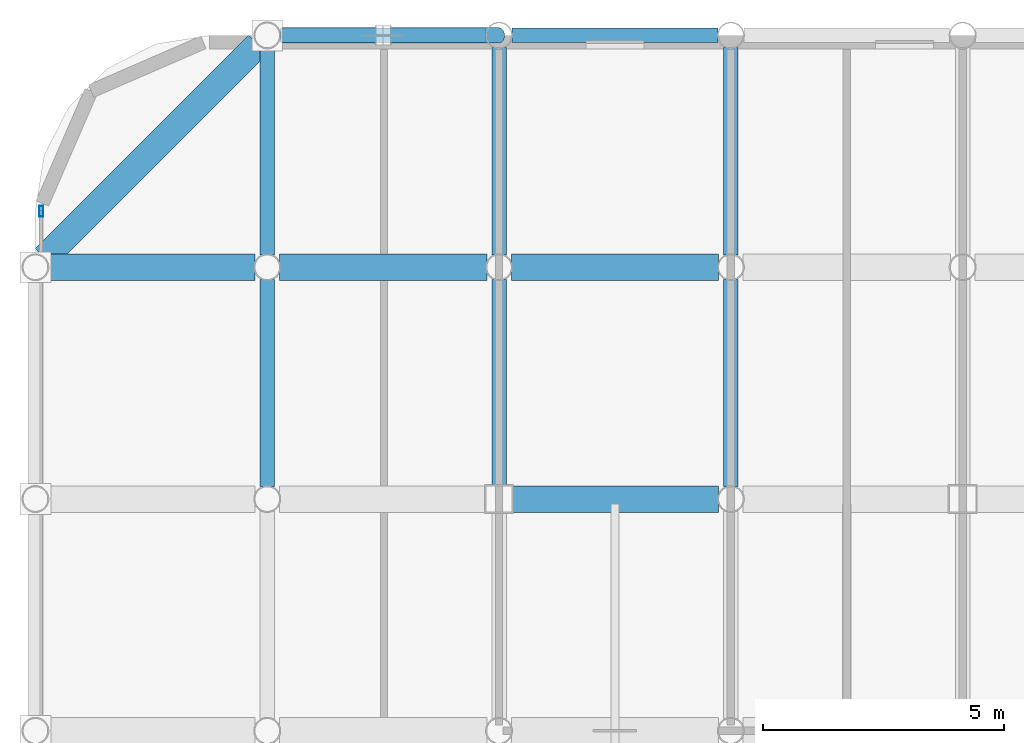
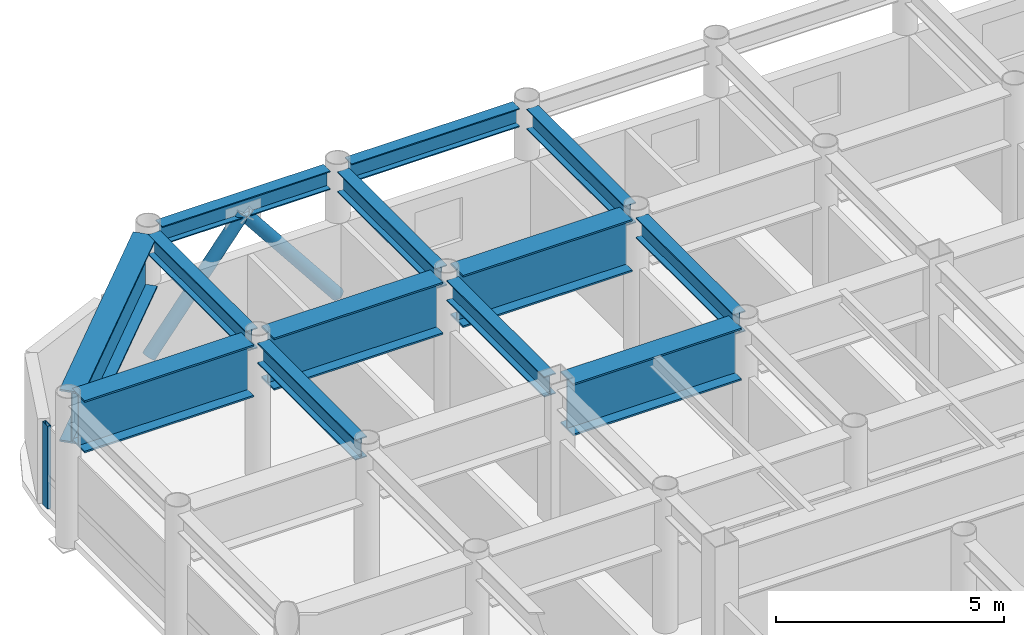
# One storey, part 12 of 25: 13 beams, 3 members, 1 element without a shape of its own.
"""IFC4 building model written with IfcOpenShell, lengths in metres."""

from ifc_helpers import new_model, si_unit, direction, frame, origin, origin_2d, place, context, subcontext, project, spatial, hollow_rectangle, hollow_circle, i_section, extrude, material, layer, layer_set, material_profile, profile_set, type_object, element, aggregate, save


model = new_model("IFC4")

# Units and contexts
model_context = context("Model", 3, precision=1e-05, world=origin(), true_north=direction((0.0, 1.0)))
body_context = subcontext(model_context, "Body", "Model", "MODEL_VIEW")
ifc_project = project(units=[si_unit("LENGTHUNIT", "METRE"), si_unit("AREAUNIT", "SQUARE_METRE"), si_unit("VOLUMEUNIT", "CUBIC_METRE"), si_unit("PLANEANGLEUNIT", "RADIAN"), si_unit("MASSUNIT", "GRAM", prefix="KILO")], contexts=[model_context])

# Site, building, storey
site_placement = place(None, origin())
site = spatial("IfcSite", under=ifc_project, at=site_placement, CompositionType="ELEMENT")
building_placement = place(site_placement, origin())
building = spatial("IfcBuilding", under=site, at=building_placement, Name="Kallvorn Hotel Tower", CompositionType="ELEMENT")
storey_placement = place(building_placement, frame((0.0, 0.0, 249.25)))
storey = spatial("IfcBuildingStorey", under=building, at=storey_placement, Name="L62", CompositionType="ELEMENT", Elevation=249.25)

# Beams
ifc_material_1 = material(Name="Structural steel S355JR", Category="steel")
ifc_material_profile_1 = material_profile(ifc_material_1, i_section(OverallWidth=0.300048828125, OverallDepth=0.5, WebThickness=0.014404296875, FlangeThickness=0.028076171875, at=origin_2d()), Name="HE 500 B")
ifc_profile_set_1 = profile_set([ifc_material_profile_1], Name="Structural steel S355JR")
beam_type_1 = type_object("IfcBeamType", Name="BM_HE500B", PredefinedType="SPANDREL", material=ifc_profile_set_1)
for number, where, z_axis, x_axis, name in (
    (1, (-28.530517578125, 24.0, 3.419921875), (1.0, 0.0, 0.0), (0.0, 1.0, 0.0), "L63 Perimeter Spandrel 163"),
    (2, (-23.73046875, 24.0, 3.419921875), (1.0, 0.0, 0.0), (0.0, 1.0, 0.0), "L63 Perimeter Spandrel 164"),
):
    element("IfcBeam", number, at=place(storey_placement, frame(where, z_axis=z_axis, x_axis=x_axis)), inside=storey, type_object=beam_type_1, Name=name, PredefinedType="SPANDREL", context=body_context, shape_type="SweptSolid", body=[
        extrude(i_section(OverallWidth=0.300048828125, OverallDepth=0.5, WebThickness=0.014404296875, FlangeThickness=0.028076171875, at=origin_2d()), origin(), (0.0, 0.0, 1.0), 4.260986328125),
    ])
ifc_material_2 = material(Name="Structural steel S355JR", Category="steel")
ifc_material_profile_2 = material_profile(ifc_material_2, i_section(OverallWidth=0.300048828125, OverallDepth=0.550048828125, WebThickness=0.014892578125, FlangeThickness=0.029052734375, at=origin_2d()), Name="HE 550 B")
ifc_profile_set_2 = profile_set([ifc_material_profile_2], Name="Structural steel S355JR")
beam_type_2 = type_object("IfcBeamType", Name="BM_HE550B", PredefinedType="SPANDREL", material=ifc_profile_set_2)
for number, where, z_axis, x_axis, name in (
    (3, (-28.800048828125, 14.654541015625, 3.39501953125), (0.0, 1.0, 0.0), (-1.0, 0.0, 0.0), "L63 Primary Y-Girder 80"),
    (4, (-28.800048828125, 19.45458984375, 3.39501953125), (0.0, 1.0, 0.0), (-1.0, 0.0, 0.0), "L63 Primary Y-Girder 81"),
):
    element("IfcBeam", number, at=place(storey_placement, frame(where, z_axis=z_axis, x_axis=x_axis)), inside=storey, type_object=beam_type_2, Name=name, PredefinedType="SPANDREL", context=body_context, shape_type="SweptSolid", body=[
        extrude(i_section(OverallWidth=0.300048828125, OverallDepth=0.550048828125, WebThickness=0.014892578125, FlangeThickness=0.029052734375, at=origin_2d()), origin(), (0.0, 0.0, 1.0), 4.291015625),
    ])
beam_1_placement = place(storey_placement, frame((-24.0, 14.675048828125, 3.39501953125), z_axis=(0.0, 1.0, 0.0), x_axis=(-1.0, 0.0, 0.0)))
element("IfcBeam", 5, at=beam_1_placement, inside=storey, type_object=beam_type_2, Name="L63 Primary Y-Girder 87", PredefinedType="SPANDREL", context=body_context, shape_type="SweptSolid", body=[
    extrude(i_section(OverallWidth=0.300048828125, OverallDepth=0.550048828125, WebThickness=0.014892578125, FlangeThickness=0.029052734375, at=origin_2d()), origin(), (0.0, 0.0, 1.0), 4.2705078125),
])
for number, where, z_axis, x_axis, name in (
    (6, (-24.0, 19.45458984375, 3.39501953125), (0.0, 1.0, 0.0), (-1.0, 0.0, 0.0), "L63 Primary Y-Girder 88"),
    (7, (-19.199951171875, 14.654541015625, 3.39501953125), (0.0, 1.0, 0.0), (-1.0, 0.0, 0.0), "L63 Primary Y-Girder 96"),
    (8, (-19.199951171875, 19.45458984375, 3.39501953125), (0.0, 1.0, 0.0), (-1.0, 0.0, 0.0), "L63 Primary Y-Girder 97"),
):
    element("IfcBeam", number, at=place(storey_placement, frame(where, z_axis=z_axis, x_axis=x_axis)), inside=storey, type_object=beam_type_2, Name=name, PredefinedType="SPANDREL", context=body_context, shape_type="SweptSolid", body=[
        extrude(i_section(OverallWidth=0.300048828125, OverallDepth=0.550048828125, WebThickness=0.014892578125, FlangeThickness=0.029052734375, at=origin_2d()), origin(), (0.0, 0.0, 1.0), 4.291015625),
    ])
ifc_material_3 = material(Name="Structural steel S355JR", Category="steel")
ifc_material_profile_3 = material_profile(ifc_material_3, i_section(OverallWidth=0.550048828125, OverallDepth=1.39990234375, WebThickness=0.02490234375, FlangeThickness=0.044921875, at=origin_2d()), Name="PG 1400x550x25x45")
ifc_profile_set_3 = profile_set([ifc_material_profile_3], Name="Structural steel S355JR")
beam_type_3 = type_object("IfcBeamType", Name="BM_PG_1400", PredefinedType="BEAM", material=ifc_profile_set_3)
beam_2_placement = place(storey_placement, frame((-23.72509765625, 14.39990234375, 2.969970703125), z_axis=(1.0, 0.0, 0.0), x_axis=(0.0, 1.0, 0.0)))
element("IfcBeam", 9, at=beam_2_placement, inside=storey, type_object=beam_type_3, Name="L63 Primary X-Girder 52", PredefinedType="BEAM", context=body_context, shape_type="SweptSolid", body=[
    extrude(i_section(OverallWidth=0.550048828125, OverallDepth=1.39990234375, WebThickness=0.02490234375, FlangeThickness=0.044921875, at=origin_2d()), origin(), (0.0, 0.0, 1.0), 4.2705078125),
])
for number, where, z_axis, x_axis, name in (
    (10, (-33.345458984375, 19.199951171875, 2.969970703125), (1.0, 0.0, 0.0), (0.0, 1.0, 0.0), "L63 Primary X-Girder 60"),
    (11, (-28.54541015625, 19.199951171875, 2.969970703125), (1.0, 0.0, 0.0), (0.0, 1.0, 0.0), "L63 Primary X-Girder 61"),
    (12, (-23.74560546875, 19.199951171875, 2.969970703125), (1.0, 0.0, 0.0), (0.0, 1.0, 0.0), "L63 Primary X-Girder 62"),
):
    element("IfcBeam", number, at=place(storey_placement, frame(where, z_axis=z_axis, x_axis=x_axis)), inside=storey, type_object=beam_type_3, Name=name, PredefinedType="BEAM", context=body_context, shape_type="SweptSolid", body=[
        extrude(i_section(OverallWidth=0.550048828125, OverallDepth=1.39990234375, WebThickness=0.02490234375, FlangeThickness=0.044921875, at=origin_2d()), origin(), (0.0, 0.0, 1.0), 4.291015625),
    ])
beam_3_placement = place(storey_placement, frame((-33.409423828125, 19.390625, 2.969970703125), z_axis=(0.707126314793, 0.707087247041, 0.0), x_axis=(-0.707087247041, 0.707126314793, 0.0)))
element("IfcBeam", 13, at=beam_3_placement, inside=storey, type_object=beam_type_3, Name="L63 Rounded Corner Tie Beam 190", PredefinedType="BEAM", context=body_context, shape_type="SweptSolid", body=[
    extrude(i_section(OverallWidth=0.550048828125, OverallDepth=1.39990234375, WebThickness=0.02490234375, FlangeThickness=0.044921875, at=origin_2d()), origin(), (0.0, 0.0, 1.0), 6.249267578125),
])

# Curtain wall, member
ifc_material_4 = material(Name="Thermally broken black-anodised aluminium AA 6063-T6", Category="aluminium")
ifc_layer = layer(ifc_material_4, 0.22998046875)
ifc_layer_set = layer_set([ifc_layer], Name="CW_SYS_5_HOTEL_HIGH")
curtain_wall_type = type_object("IfcCurtainWallType", Name="CW_SYS_5_HOTEL_HIGH", PredefinedType="USERDEFINED", material=ifc_layer_set)
curtain_wall_placement = place(storey_placement, origin())
curtain_wall = element("IfcCurtainWall", 14, at=curtain_wall_placement, inside=storey, type_object=curtain_wall_type, Name="L62 Dark-Glass Curtain Wall CW-L62-WN", ObjectType="UNITISED CURTAIN WALL", PredefinedType="USERDEFINED")
ifc_material_5 = material(Name="Thermally broken black-anodised aluminium AA 6063-T6", Category="aluminium")
ifc_material_profile_4 = material_profile(ifc_material_5, hollow_rectangle(XDim=0.080078125, YDim=0.219970703125, WallThickness=0.0048828125, at=origin_2d()), Name="MUL 220x80")
ifc_profile_set_4 = profile_set([ifc_material_profile_4], Name="Thermally broken black-anodised aluminium AA 6063-T6")
member_type_1 = type_object("IfcMemberType", Name="CW_MULLION_220x80", PredefinedType="MULLION", material=ifc_profile_set_4)
member_placement = place(storey_placement, frame((-33.47998046875, 20.360107421875, 0.02001953125), z_axis=(0.0, 0.0, 1.0), x_axis=(1.0, 0.0, 0.0)))
member = element("IfcMember", 15, at=member_placement, type_object=member_type_1, Name="CW-L62-WN Mullion 01", PredefinedType="MULLION", context=body_context, shape_type="SweptSolid", body=[
    extrude(hollow_rectangle(XDim=0.080078125, YDim=0.219970703125, WallThickness=0.0048828125, at=origin_2d()), origin(), (0.0, 0.0, 1.0), 2.22998046875),
])
aggregate(curtain_wall, [member])

# Members
ifc_material_6 = material(Name="Structural steel S355J2H", Category="steel")
ifc_material_profile_5 = material_profile(ifc_material_6, hollow_circle(Radius=0.161865234375, WallThickness=0.012451171875, at=origin_2d()), Name="CHS 323.9x12.5")
ifc_profile_set_5 = profile_set([ifc_material_profile_5], Name="Structural steel S355J2H")
member_type_2 = type_object("IfcMemberType", Name="MBR_EXO_CHS323", PredefinedType="BRACE", material=ifc_profile_set_5)
for number, where, z_axis, x_axis, name in (
    (16, (-28.78759765625, 24.0, 0.19580078125), (0.620928510901, 0.0, 0.783867198159), (0.0, 1.0, 0.0), "L62 Exoskeleton K-Brace N1A"),
    (17, (-24.012451171875, 24.0, 0.19580078125), (-0.620928510901, 0.0, 0.783867198159), (0.0, -1.0, 0.0), "L62 Exoskeleton K-Brace N1B"),
):
    element("IfcMember", number, at=place(storey_placement, frame(where, z_axis=z_axis, x_axis=x_axis)), inside=storey, type_object=member_type_2, Name=name, PredefinedType="BRACE", context=body_context, shape_type="SweptSolid", body=[
        extrude(hollow_circle(Radius=0.161865234375, WallThickness=0.012451171875, at=origin_2d()), origin(), (0.0, 0.0, 1.0), 3.8251953125),
    ])

save(model, "model.ifc")
